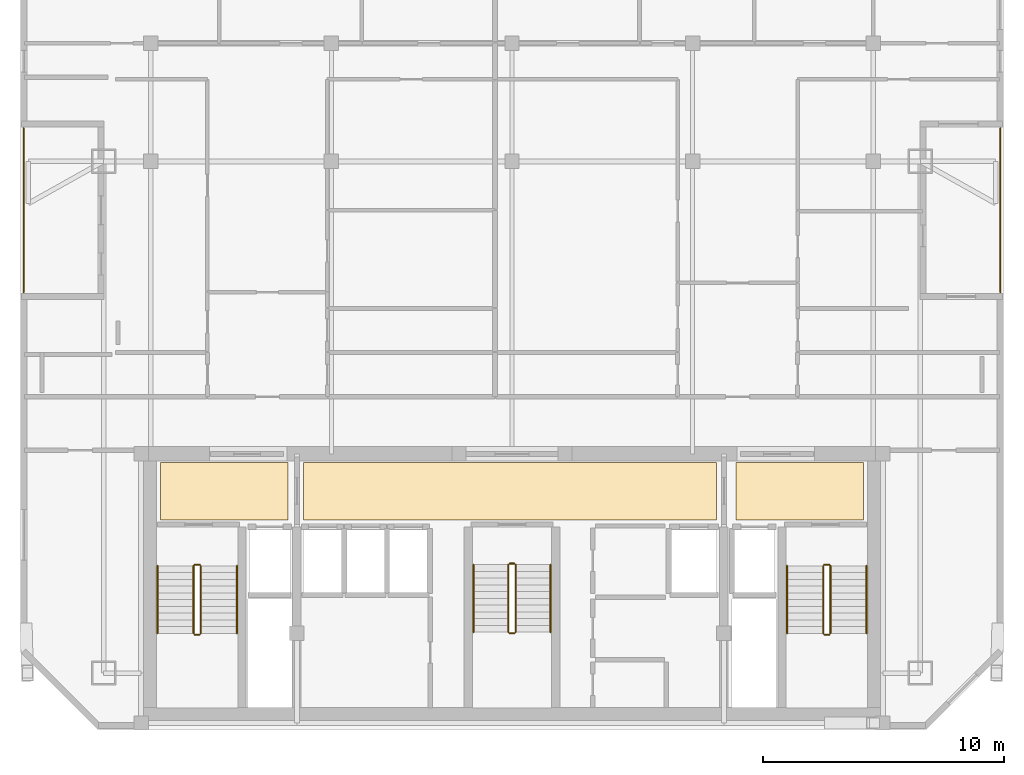
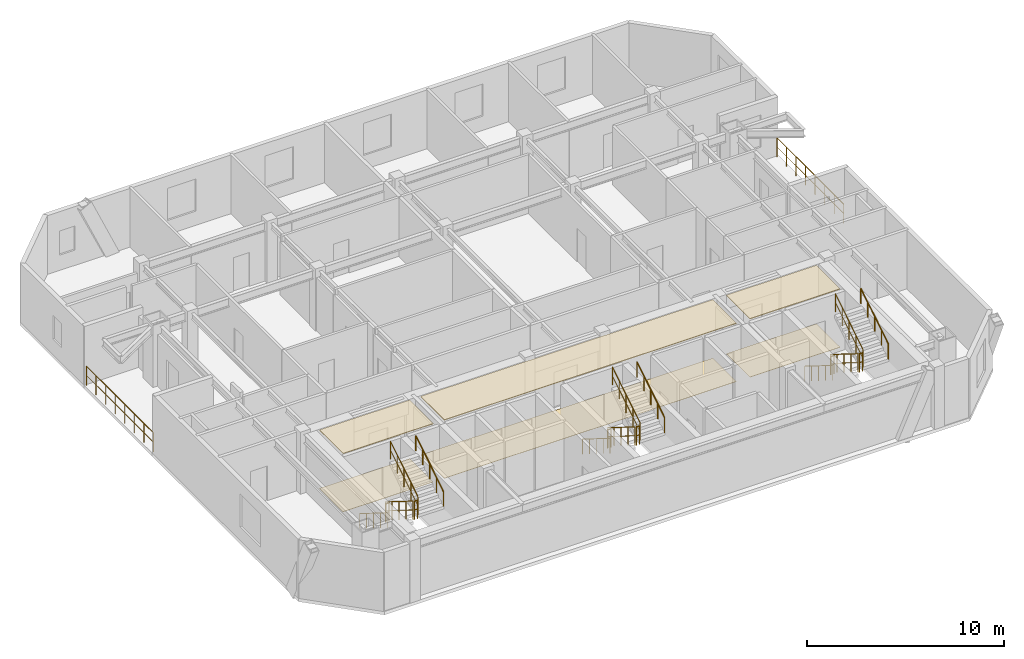
# One storey, part 7 of 7: 20 railings, 6 coverings.
"""IFC4 building model written with IfcOpenShell, lengths in metres."""

from ifc_helpers import new_model, si_unit, direction, frame, origin, origin_2d, place, context, subcontext, project, spatial, polyline, circle, outline, extrude, material, layer, layer_set, type_object, element, save


model = new_model("IFC4")

# Units and contexts
model_context = context("Model", 3, precision=1e-05, world=origin(), true_north=direction((0.0, 1.0)))
body_context = subcontext(model_context, "Body", "Model", "MODEL_VIEW")
ifc_project = project(units=[si_unit("LENGTHUNIT", "METRE"), si_unit("AREAUNIT", "SQUARE_METRE"), si_unit("VOLUMEUNIT", "CUBIC_METRE"), si_unit("PLANEANGLEUNIT", "RADIAN"), si_unit("MASSUNIT", "GRAM", prefix="KILO")], contexts=[model_context])

# Site, building, storey
site_placement = place(None, origin())
site = spatial("IfcSite", under=ifc_project, at=site_placement, CompositionType="ELEMENT")
building_placement = place(site_placement, origin())
building = spatial("IfcBuilding", under=site, at=building_placement, Name="Ventersveld Concourse Tower", CompositionType="ELEMENT")
storey_placement = place(building_placement, frame((0.0, 0.0, 281.050048828125)))
storey = spatial("IfcBuildingStorey", under=building, at=storey_placement, Name="L69", CompositionType="ELEMENT", Elevation=281.050048828125)

# Coverings
ifc_material_1 = material(Name="Mineral-fibre acoustic ceiling tile", Category="gypsum")
ifc_layer_1 = layer(ifc_material_1, 0.0400390625)
ifc_layer_set_1 = layer_set([ifc_layer_1], Name="Mineral-fibre acoustic ceiling tile")
covering_type_1 = type_object("IfcCoveringType", Name="COV-CEIL-ACOUSTIC", PredefinedType="CEILING", material=ifc_layer_set_1)
covering_1_placement = place(storey_placement, frame((0.0, 0.0, 3.60986328125)))
element("IfcCovering", 1, at=covering_1_placement, inside=storey, type_object=covering_type_1, Name="L69 North Lift Lobby Acoustic Ceiling", PredefinedType="CEILING", context=body_context, shape_type="SweptSolid", body=[
    extrude(outline(polyline([(20.10009765625, 8.699951171875), (37.25, 8.699951171875), (37.25, 11.10009765625), (20.10009765625, 11.10009765625), (20.10009765625, 8.699951171875)])), origin(), (0.0, 0.0, 1.0), 0.0400390625),
])
covering_2_placement = place(storey_placement, frame((0.0, 0.0, 3.60986328125)))
element("IfcCovering", 2, at=covering_2_placement, inside=storey, type_object=covering_type_1, Name="L69 West Firefighting Lobby Acoustic Ceiling", PredefinedType="CEILING", context=body_context, shape_type="SweptSolid", body=[
    extrude(outline(polyline([(14.14990234375, 8.699951171875), (19.449951171875, 8.699951171875), (19.449951171875, 11.10009765625), (14.14990234375, 11.10009765625), (14.14990234375, 8.699951171875)])), origin(), (0.0, 0.0, 1.0), 0.0400390625),
])
covering_3_placement = place(storey_placement, frame((0.0, 0.0, 3.60986328125)))
element("IfcCovering", 3, at=covering_3_placement, inside=storey, type_object=covering_type_1, Name="L69 East Firefighting Lobby Acoustic Ceiling", PredefinedType="CEILING", context=body_context, shape_type="SweptSolid", body=[
    extrude(outline(polyline([(38.050048828125, 8.699951171875), (43.35009765625, 8.699951171875), (43.35009765625, 11.10009765625), (38.050048828125, 11.10009765625), (38.050048828125, 8.699951171875)])), origin(), (0.0, 0.0, 1.0), 0.0400390625),
])
ifc_material_2 = material(Name="Polished Highveld granite terrazzo", Category="masonry")
ifc_layer_2 = layer(ifc_material_2, 0.02001953125)
ifc_layer_set_2 = layer_set([ifc_layer_2], Name="Polished Highveld granite terrazzo")
covering_type_2 = type_object("IfcCoveringType", Name="COV-FLOOR-TERRAZZO", PredefinedType="FLOORING", material=ifc_layer_set_2)
covering_4_placement = place(storey_placement, origin())
element("IfcCovering", 4, at=covering_4_placement, inside=storey, type_object=covering_type_2, Name="L69 North Lift Lobby Terrazzo Flooring", PredefinedType="FLOORING", context=body_context, shape_type="SweptSolid", body=[
    extrude(outline(polyline([(20.10009765625, 8.699951171875), (37.25, 8.699951171875), (37.25, 11.10009765625), (20.10009765625, 11.10009765625), (20.10009765625, 8.699951171875)])), origin(), (0.0, 0.0, 1.0), 0.02001953125),
])
covering_5_placement = place(storey_placement, origin())
element("IfcCovering", 5, at=covering_5_placement, inside=storey, type_object=covering_type_2, Name="L69 West Firefighting Lobby Terrazzo Flooring", PredefinedType="FLOORING", context=body_context, shape_type="SweptSolid", body=[
    extrude(outline(polyline([(14.14990234375, 8.699951171875), (19.449951171875, 8.699951171875), (19.449951171875, 11.10009765625), (14.14990234375, 11.10009765625), (14.14990234375, 8.699951171875)])), origin(), (0.0, 0.0, 1.0), 0.02001953125),
])
covering_6_placement = place(storey_placement, origin())
element("IfcCovering", 6, at=covering_6_placement, inside=storey, type_object=covering_type_2, Name="L69 East Firefighting Lobby Terrazzo Flooring", PredefinedType="FLOORING", context=body_context, shape_type="SweptSolid", body=[
    extrude(outline(polyline([(38.050048828125, 8.699951171875), (43.35009765625, 8.699951171875), (43.35009765625, 11.10009765625), (38.050048828125, 11.10009765625), (38.050048828125, 8.699951171875)])), origin(), (0.0, 0.0, 1.0), 0.02001953125),
])

# Railings
ifc_material_3 = material(Name="Brushed stainless steel 316", Category="steel")
railing_type_1 = type_object("IfcRailingType", Name="GD-BAL-115", PredefinedType="GUARDRAIL", material=ifc_material_3)
railing_1_placement = place(storey_placement, frame((15.530029296875, 6.800048828125, 0.175048828125)))
element("IfcRailing", 7, at=railing_1_placement, inside=storey, type_object=railing_type_1, Name="L69 ST-01 stair guard 1", PredefinedType="GUARDRAIL", context=body_context, shape_type="SweptSolid", body=[
    extrude(circle(Radius=0.02392578125, at=origin_2d()), frame((0.0, 0.0, 1.1259765625), z_axis=(0.0, -0.848002457836, 0.529992293815), x_axis=(1.0, 0.0, 0.0)), (0.0, 0.0, 1.0), 3.302001953125),
    extrude(circle(Radius=0.01611328125, at=origin_2d()), frame((0.0, 0.0, 0.574951171875), z_axis=(0.0, -0.848002457836, 0.529992293815), x_axis=(1.0, 0.0, 0.0)), (0.0, 0.0, 1.0), 3.302001953125),
    extrude(circle(Radius=0.02099609375, at=origin_2d()), origin(), (0.0, 0.0, 1.0), 1.101806640625),
    extrude(circle(Radius=0.02099609375, at=origin_2d()), frame((0.0, -0.699951171875, 0.4375)), (0.0, 0.0, 1.0), 1.101806640625),
    extrude(circle(Radius=0.02099609375, at=origin_2d()), frame((0.0, -1.39990234375, 0.875)), (0.0, 0.0, 1.0), 1.101806640625),
    extrude(circle(Radius=0.02099609375, at=origin_2d()), frame((0.0, -2.10009765625, 1.3125)), (0.0, 0.0, 1.0), 1.101806640625),
    extrude(circle(Radius=0.02099609375, at=origin_2d()), frame((0.0, -2.800048828125, 1.75)), (0.0, 0.0, 1.0), 1.101806640625),
])
railing_2_placement = place(storey_placement, frame((15.580078125, 3.949951171875, 1.925048828125)))
element("IfcRailing", 8, at=railing_2_placement, inside=storey, type_object=railing_type_1, Name="L69 ST-01 stair guard 2", PredefinedType="GUARDRAIL", context=body_context, shape_type="SweptSolid", body=[
    extrude(circle(Radius=0.02392578125, at=origin_2d()), frame((0.0, 0.0, 1.1259765625), z_axis=(1.0, 0.0, 0.0), x_axis=(0.0, 1.0, 0.0)), (0.0, 0.0, 1.0), 0.199951171875),
    extrude(circle(Radius=0.01611328125, at=origin_2d()), frame((0.0, 0.0, 0.574951171875), z_axis=(1.0, 0.0, 0.0), x_axis=(0.0, 1.0, 0.0)), (0.0, 0.0, 1.0), 0.199951171875),
    extrude(circle(Radius=0.02099609375, at=origin_2d()), origin(), (0.0, 0.0, 1.0), 1.101806640625),
    extrude(circle(Radius=0.02099609375, at=origin_2d()), frame((0.199951171875, 0.0, 0.0)), (0.0, 0.0, 1.0), 1.101806640625),
])
railing_3_placement = place(storey_placement, frame((15.830078125, 4.0, 2.099853515625)))
element("IfcRailing", 9, at=railing_3_placement, inside=storey, type_object=railing_type_1, Name="L69 ST-01 stair guard 3", PredefinedType="GUARDRAIL", context=body_context, shape_type="SweptSolid", body=[
    extrude(circle(Radius=0.02392578125, at=origin_2d()), frame((0.0, 0.0, 1.1259765625), z_axis=(0.0, 0.848002457836, 0.529992293815), x_axis=(-1.0, 0.0, 0.0)), (0.0, 0.0, 1.0), 3.302001953125),
    extrude(circle(Radius=0.01611328125, at=origin_2d()), frame((0.0, 0.0, 0.574951171875), z_axis=(0.0, 0.848002457836, 0.529992293815), x_axis=(-1.0, 0.0, 0.0)), (0.0, 0.0, 1.0), 3.302001953125),
    extrude(circle(Radius=0.02099609375, at=origin_2d()), origin(), (0.0, 0.0, 1.0), 1.101806640625),
    extrude(circle(Radius=0.02099609375, at=origin_2d()), frame((0.0, 0.699951171875, 0.4375)), (0.0, 0.0, 1.0), 1.101806640625),
    extrude(circle(Radius=0.02099609375, at=origin_2d()), frame((0.0, 1.39990234375, 0.875)), (0.0, 0.0, 1.0), 1.101806640625),
    extrude(circle(Radius=0.02099609375, at=origin_2d()), frame((0.0, 2.10009765625, 1.3125)), (0.0, 0.0, 1.0), 1.101806640625),
    extrude(circle(Radius=0.02099609375, at=origin_2d()), frame((0.0, 2.800048828125, 1.75)), (0.0, 0.0, 1.0), 1.101806640625),
])
railing_4_placement = place(storey_placement, frame((15.580078125, 6.85009765625, 0.0)))
element("IfcRailing", 10, at=railing_4_placement, inside=storey, type_object=railing_type_1, Name="L69 ST-01 stair guard 4", PredefinedType="GUARDRAIL", context=body_context, shape_type="SweptSolid", body=[
    extrude(circle(Radius=0.02392578125, at=origin_2d()), frame((0.0, 0.0, 1.1259765625), z_axis=(1.0, 0.0, 0.0), x_axis=(0.0, 1.0, 0.0)), (0.0, 0.0, 1.0), 0.199951171875),
    extrude(circle(Radius=0.01611328125, at=origin_2d()), frame((0.0, 0.0, 0.574951171875), z_axis=(1.0, 0.0, 0.0), x_axis=(0.0, 1.0, 0.0)), (0.0, 0.0, 1.0), 0.199951171875),
    extrude(circle(Radius=0.02099609375, at=origin_2d()), origin(), (0.0, 0.0, 1.0), 1.101806640625),
    extrude(circle(Radius=0.02099609375, at=origin_2d()), frame((0.199951171875, 0.0, 0.0)), (0.0, 0.0, 1.0), 1.101806640625),
])
railing_5_placement = place(storey_placement, frame((41.669921875, 6.800048828125, 0.175048828125)))
element("IfcRailing", 11, at=railing_5_placement, inside=storey, type_object=railing_type_1, Name="L69 ST-02 stair guard 1", PredefinedType="GUARDRAIL", context=body_context, shape_type="SweptSolid", body=[
    extrude(circle(Radius=0.02392578125, at=origin_2d()), frame((0.0, 0.0, 1.1259765625), z_axis=(0.0, -0.848002457836, 0.529992293815), x_axis=(1.0, 0.0, 0.0)), (0.0, 0.0, 1.0), 3.302001953125),
    extrude(circle(Radius=0.01611328125, at=origin_2d()), frame((0.0, 0.0, 0.574951171875), z_axis=(0.0, -0.848002457836, 0.529992293815), x_axis=(1.0, 0.0, 0.0)), (0.0, 0.0, 1.0), 3.302001953125),
    extrude(circle(Radius=0.02099609375, at=origin_2d()), origin(), (0.0, 0.0, 1.0), 1.101806640625),
    extrude(circle(Radius=0.02099609375, at=origin_2d()), frame((0.0, -0.699951171875, 0.4375)), (0.0, 0.0, 1.0), 1.101806640625),
    extrude(circle(Radius=0.02099609375, at=origin_2d()), frame((0.0, -1.39990234375, 0.875)), (0.0, 0.0, 1.0), 1.101806640625),
    extrude(circle(Radius=0.02099609375, at=origin_2d()), frame((0.0, -2.10009765625, 1.3125)), (0.0, 0.0, 1.0), 1.101806640625),
    extrude(circle(Radius=0.02099609375, at=origin_2d()), frame((0.0, -2.800048828125, 1.75)), (0.0, 0.0, 1.0), 1.101806640625),
])
railing_6_placement = place(storey_placement, frame((41.719970703125, 3.949951171875, 1.925048828125)))
element("IfcRailing", 12, at=railing_6_placement, inside=storey, type_object=railing_type_1, Name="L69 ST-02 stair guard 2", PredefinedType="GUARDRAIL", context=body_context, shape_type="SweptSolid", body=[
    extrude(circle(Radius=0.02392578125, at=origin_2d()), frame((0.0, 0.0, 1.1259765625), z_axis=(1.0, 0.0, 0.0), x_axis=(0.0, 1.0, 0.0)), (0.0, 0.0, 1.0), 0.199951171875),
    extrude(circle(Radius=0.01611328125, at=origin_2d()), frame((0.0, 0.0, 0.574951171875), z_axis=(1.0, 0.0, 0.0), x_axis=(0.0, 1.0, 0.0)), (0.0, 0.0, 1.0), 0.199951171875),
    extrude(circle(Radius=0.02099609375, at=origin_2d()), origin(), (0.0, 0.0, 1.0), 1.101806640625),
    extrude(circle(Radius=0.02099609375, at=origin_2d()), frame((0.199951171875, 0.0, 0.0)), (0.0, 0.0, 1.0), 1.101806640625),
])
railing_7_placement = place(storey_placement, frame((41.969970703125, 4.0, 2.099853515625)))
element("IfcRailing", 13, at=railing_7_placement, inside=storey, type_object=railing_type_1, Name="L69 ST-02 stair guard 3", PredefinedType="GUARDRAIL", context=body_context, shape_type="SweptSolid", body=[
    extrude(circle(Radius=0.02392578125, at=origin_2d()), frame((0.0, 0.0, 1.1259765625), z_axis=(0.0, 0.848002457836, 0.529992293815), x_axis=(-1.0, 0.0, 0.0)), (0.0, 0.0, 1.0), 3.302001953125),
    extrude(circle(Radius=0.01611328125, at=origin_2d()), frame((0.0, 0.0, 0.574951171875), z_axis=(0.0, 0.848002457836, 0.529992293815), x_axis=(-1.0, 0.0, 0.0)), (0.0, 0.0, 1.0), 3.302001953125),
    extrude(circle(Radius=0.02099609375, at=origin_2d()), origin(), (0.0, 0.0, 1.0), 1.101806640625),
    extrude(circle(Radius=0.02099609375, at=origin_2d()), frame((0.0, 0.699951171875, 0.4375)), (0.0, 0.0, 1.0), 1.101806640625),
    extrude(circle(Radius=0.02099609375, at=origin_2d()), frame((0.0, 1.39990234375, 0.875)), (0.0, 0.0, 1.0), 1.101806640625),
    extrude(circle(Radius=0.02099609375, at=origin_2d()), frame((0.0, 2.10009765625, 1.3125)), (0.0, 0.0, 1.0), 1.101806640625),
    extrude(circle(Radius=0.02099609375, at=origin_2d()), frame((0.0, 2.800048828125, 1.75)), (0.0, 0.0, 1.0), 1.101806640625),
])
railing_8_placement = place(storey_placement, frame((41.719970703125, 6.85009765625, 0.0)))
element("IfcRailing", 14, at=railing_8_placement, inside=storey, type_object=railing_type_1, Name="L69 ST-02 stair guard 4", PredefinedType="GUARDRAIL", context=body_context, shape_type="SweptSolid", body=[
    extrude(circle(Radius=0.02392578125, at=origin_2d()), frame((0.0, 0.0, 1.1259765625), z_axis=(1.0, 0.0, 0.0), x_axis=(0.0, 1.0, 0.0)), (0.0, 0.0, 1.0), 0.199951171875),
    extrude(circle(Radius=0.01611328125, at=origin_2d()), frame((0.0, 0.0, 0.574951171875), z_axis=(1.0, 0.0, 0.0), x_axis=(0.0, 1.0, 0.0)), (0.0, 0.0, 1.0), 0.199951171875),
    extrude(circle(Radius=0.02099609375, at=origin_2d()), origin(), (0.0, 0.0, 1.0), 1.101806640625),
    extrude(circle(Radius=0.02099609375, at=origin_2d()), frame((0.199951171875, 0.0, 0.0)), (0.0, 0.0, 1.0), 1.101806640625),
])
railing_9_placement = place(storey_placement, frame((28.60009765625, 6.85009765625, 0.175048828125)))
element("IfcRailing", 15, at=railing_9_placement, inside=storey, type_object=railing_type_1, Name="L69 ST-03 stair guard 1", PredefinedType="GUARDRAIL", context=body_context, shape_type="SweptSolid", body=[
    extrude(circle(Radius=0.02392578125, at=origin_2d()), frame((0.0, 0.0, 1.1259765625), z_axis=(0.0, -0.848002457836, 0.529992293815), x_axis=(1.0, 0.0, 0.0)), (0.0, 0.0, 1.0), 3.302001953125),
    extrude(circle(Radius=0.01611328125, at=origin_2d()), frame((0.0, 0.0, 0.574951171875), z_axis=(0.0, -0.848002457836, 0.529992293815), x_axis=(1.0, 0.0, 0.0)), (0.0, 0.0, 1.0), 3.302001953125),
    extrude(circle(Radius=0.02099609375, at=origin_2d()), origin(), (0.0, 0.0, 1.0), 1.101806640625),
    extrude(circle(Radius=0.02099609375, at=origin_2d()), frame((0.0, -0.699951171875, 0.4375)), (0.0, 0.0, 1.0), 1.101806640625),
    extrude(circle(Radius=0.02099609375, at=origin_2d()), frame((0.0, -1.39990234375, 0.875)), (0.0, 0.0, 1.0), 1.101806640625),
    extrude(circle(Radius=0.02099609375, at=origin_2d()), frame((0.0, -2.10009765625, 1.3125)), (0.0, 0.0, 1.0), 1.101806640625),
    extrude(circle(Radius=0.02099609375, at=origin_2d()), frame((0.0, -2.800048828125, 1.75)), (0.0, 0.0, 1.0), 1.101806640625),
])
railing_10_placement = place(storey_placement, frame((28.64990234375, 4.0, 1.925048828125)))
element("IfcRailing", 16, at=railing_10_placement, inside=storey, type_object=railing_type_1, Name="L69 ST-03 stair guard 2", PredefinedType="GUARDRAIL", context=body_context, shape_type="SweptSolid", body=[
    extrude(circle(Radius=0.02392578125, at=origin_2d()), frame((0.0, 0.0, 1.1259765625), z_axis=(1.0, 0.0, 0.0), x_axis=(0.0, 1.0, 0.0)), (0.0, 0.0, 1.0), 0.2001953125),
    extrude(circle(Radius=0.01611328125, at=origin_2d()), frame((0.0, 0.0, 0.574951171875), z_axis=(1.0, 0.0, 0.0), x_axis=(0.0, 1.0, 0.0)), (0.0, 0.0, 1.0), 0.2001953125),
    extrude(circle(Radius=0.02099609375, at=origin_2d()), origin(), (0.0, 0.0, 1.0), 1.101806640625),
    extrude(circle(Radius=0.02099609375, at=origin_2d()), frame((0.2001953125, 0.0, 0.0)), (0.0, 0.0, 1.0), 1.101806640625),
])
railing_11_placement = place(storey_placement, frame((28.89990234375, 4.050048828125, 2.099853515625)))
element("IfcRailing", 17, at=railing_11_placement, inside=storey, type_object=railing_type_1, Name="L69 ST-03 stair guard 3", PredefinedType="GUARDRAIL", context=body_context, shape_type="SweptSolid", body=[
    extrude(circle(Radius=0.02392578125, at=origin_2d()), frame((0.0, 0.0, 1.1259765625), z_axis=(0.0, 0.848002457836, 0.529992293815), x_axis=(-1.0, 0.0, 0.0)), (0.0, 0.0, 1.0), 3.302001953125),
    extrude(circle(Radius=0.01611328125, at=origin_2d()), frame((0.0, 0.0, 0.574951171875), z_axis=(0.0, 0.848002457836, 0.529992293815), x_axis=(-1.0, 0.0, 0.0)), (0.0, 0.0, 1.0), 3.302001953125),
    extrude(circle(Radius=0.02099609375, at=origin_2d()), origin(), (0.0, 0.0, 1.0), 1.101806640625),
    extrude(circle(Radius=0.02099609375, at=origin_2d()), frame((0.0, 0.699951171875, 0.4375)), (0.0, 0.0, 1.0), 1.101806640625),
    extrude(circle(Radius=0.02099609375, at=origin_2d()), frame((0.0, 1.39990234375, 0.875)), (0.0, 0.0, 1.0), 1.101806640625),
    extrude(circle(Radius=0.02099609375, at=origin_2d()), frame((0.0, 2.10009765625, 1.3125)), (0.0, 0.0, 1.0), 1.101806640625),
    extrude(circle(Radius=0.02099609375, at=origin_2d()), frame((0.0, 2.800048828125, 1.75)), (0.0, 0.0, 1.0), 1.101806640625),
])
railing_12_placement = place(storey_placement, frame((28.64990234375, 6.89990234375, 0.0)))
element("IfcRailing", 18, at=railing_12_placement, inside=storey, type_object=railing_type_1, Name="L69 ST-03 stair guard 4", PredefinedType="GUARDRAIL", context=body_context, shape_type="SweptSolid", body=[
    extrude(circle(Radius=0.02392578125, at=origin_2d()), frame((0.0, 0.0, 1.1259765625), z_axis=(1.0, 0.0, 0.0), x_axis=(0.0, 1.0, 0.0)), (0.0, 0.0, 1.0), 0.2001953125),
    extrude(circle(Radius=0.01611328125, at=origin_2d()), frame((0.0, 0.0, 0.574951171875), z_axis=(1.0, 0.0, 0.0), x_axis=(0.0, 1.0, 0.0)), (0.0, 0.0, 1.0), 0.2001953125),
    extrude(circle(Radius=0.02099609375, at=origin_2d()), origin(), (0.0, 0.0, 1.0), 1.101806640625),
    extrude(circle(Radius=0.02099609375, at=origin_2d()), frame((0.2001953125, 0.0, 0.0)), (0.0, 0.0, 1.0), 1.101806640625),
])
railing_type_2 = type_object("IfcRailingType", Name="GD-TER-120", PredefinedType="GUARDRAIL", material=ifc_material_3)
for number, where, name in (
    (19, (8.47314453125, 18.166259765625, 0.0), "L69 Outdoor Terrace Guardrail NOTCH-W"),
    (20, (49.02685546875, 18.166259765625, 0.0), "L69 Outdoor Terrace Guardrail NOTCH-E"),
):
    element("IfcRailing", number, at=place(storey_placement, frame(where)), inside=storey, type_object=railing_type_2, Name=name, PredefinedType="GUARDRAIL", context=body_context, shape_type="SweptSolid", body=[
        extrude(circle(Radius=0.02392578125, at=origin_2d()), frame((0.0, 0.0, 1.17578125), z_axis=(0.0, 1.0, 0.0), x_axis=(-1.0, 0.0, 0.0)), (0.0, 0.0, 1.0), 6.800048828125),
        extrude(circle(Radius=0.01611328125, at=origin_2d()), frame((0.0, 0.0, 0.60009765625), z_axis=(0.0, 1.0, 0.0), x_axis=(-1.0, 0.0, 0.0)), (0.0, 0.0, 1.0), 6.800048828125),
        extrude(circle(Radius=0.02099609375, at=origin_2d()), origin(), (0.0, 0.0, 1.0), 1.15185546875),
        extrude(circle(Radius=0.02099609375, at=origin_2d()), frame((0.0, 0.971435546875, 0.0)), (0.0, 0.0, 1.0), 1.15185546875),
        extrude(circle(Radius=0.02099609375, at=origin_2d()), frame((0.0, 1.94287109375, 0.0)), (0.0, 0.0, 1.0), 1.15185546875),
        extrude(circle(Radius=0.02099609375, at=origin_2d()), frame((0.0, 2.914306640625, 0.0)), (0.0, 0.0, 1.0), 1.15185546875),
        extrude(circle(Radius=0.02099609375, at=origin_2d()), frame((0.0, 3.8857421875, 0.0)), (0.0, 0.0, 1.0), 1.15185546875),
        extrude(circle(Radius=0.02099609375, at=origin_2d()), frame((0.0, 4.857177734375, 0.0)), (0.0, 0.0, 1.0), 1.15185546875),
        extrude(circle(Radius=0.02099609375, at=origin_2d()), frame((0.0, 5.82861328125, 0.0)), (0.0, 0.0, 1.0), 1.15185546875),
        extrude(circle(Radius=0.02099609375, at=origin_2d()), frame((0.0, 6.800048828125, 0.0)), (0.0, 0.0, 1.0), 1.15185546875),
    ])
railing_type_3 = type_object("IfcRailingType", Name="HR-RMP-095", PredefinedType="HANDRAIL", material=ifc_material_3)
railing_13_placement = place(storey_placement, frame((14.030029296875, 6.800048828125, 0.175048828125)))
element("IfcRailing", 21, at=railing_13_placement, inside=storey, type_object=railing_type_3, Name="L69 ST-01 stair handrail 1", PredefinedType="HANDRAIL", context=body_context, shape_type="SweptSolid", body=[
    extrude(circle(Radius=0.02392578125, at=origin_2d()), frame((0.0, 0.0, 0.92578125), z_axis=(0.0, -0.848002457836, 0.529992293815), x_axis=(1.0, 0.0, 0.0)), (0.0, 0.0, 1.0), 3.302001953125),
    extrude(circle(Radius=0.02099609375, at=origin_2d()), origin(), (0.0, 0.0, 1.0), 0.90185546875),
    extrude(circle(Radius=0.02099609375, at=origin_2d()), frame((0.0, -0.699951171875, 0.4375)), (0.0, 0.0, 1.0), 0.90185546875),
    extrude(circle(Radius=0.02099609375, at=origin_2d()), frame((0.0, -1.39990234375, 0.875)), (0.0, 0.0, 1.0), 0.90185546875),
    extrude(circle(Radius=0.02099609375, at=origin_2d()), frame((0.0, -2.10009765625, 1.3125)), (0.0, 0.0, 1.0), 0.90185546875),
    extrude(circle(Radius=0.02099609375, at=origin_2d()), frame((0.0, -2.800048828125, 1.75)), (0.0, 0.0, 1.0), 0.90185546875),
])
railing_14_placement = place(storey_placement, frame((17.330078125, 4.0, 2.099853515625)))
element("IfcRailing", 22, at=railing_14_placement, inside=storey, type_object=railing_type_3, Name="L69 ST-01 stair handrail 2", PredefinedType="HANDRAIL", context=body_context, shape_type="SweptSolid", body=[
    extrude(circle(Radius=0.02392578125, at=origin_2d()), frame((0.0, 0.0, 0.92578125), z_axis=(0.0, 0.848002457836, 0.529992293815), x_axis=(-1.0, 0.0, 0.0)), (0.0, 0.0, 1.0), 3.302001953125),
    extrude(circle(Radius=0.02099609375, at=origin_2d()), origin(), (0.0, 0.0, 1.0), 0.90185546875),
    extrude(circle(Radius=0.02099609375, at=origin_2d()), frame((0.0, 0.699951171875, 0.4375)), (0.0, 0.0, 1.0), 0.90185546875),
    extrude(circle(Radius=0.02099609375, at=origin_2d()), frame((0.0, 1.39990234375, 0.875)), (0.0, 0.0, 1.0), 0.90185546875),
    extrude(circle(Radius=0.02099609375, at=origin_2d()), frame((0.0, 2.10009765625, 1.3125)), (0.0, 0.0, 1.0), 0.90185546875),
    extrude(circle(Radius=0.02099609375, at=origin_2d()), frame((0.0, 2.800048828125, 1.75)), (0.0, 0.0, 1.0), 0.90185546875),
])
railing_15_placement = place(storey_placement, frame((40.169921875, 6.800048828125, 0.175048828125)))
element("IfcRailing", 23, at=railing_15_placement, inside=storey, type_object=railing_type_3, Name="L69 ST-02 stair handrail 1", PredefinedType="HANDRAIL", context=body_context, shape_type="SweptSolid", body=[
    extrude(circle(Radius=0.02392578125, at=origin_2d()), frame((0.0, 0.0, 0.92578125), z_axis=(0.0, -0.848002457836, 0.529992293815), x_axis=(1.0, 0.0, 0.0)), (0.0, 0.0, 1.0), 3.302001953125),
    extrude(circle(Radius=0.02099609375, at=origin_2d()), origin(), (0.0, 0.0, 1.0), 0.90185546875),
    extrude(circle(Radius=0.02099609375, at=origin_2d()), frame((0.0, -0.699951171875, 0.4375)), (0.0, 0.0, 1.0), 0.90185546875),
    extrude(circle(Radius=0.02099609375, at=origin_2d()), frame((0.0, -1.39990234375, 0.875)), (0.0, 0.0, 1.0), 0.90185546875),
    extrude(circle(Radius=0.02099609375, at=origin_2d()), frame((0.0, -2.10009765625, 1.3125)), (0.0, 0.0, 1.0), 0.90185546875),
    extrude(circle(Radius=0.02099609375, at=origin_2d()), frame((0.0, -2.800048828125, 1.75)), (0.0, 0.0, 1.0), 0.90185546875),
])
railing_16_placement = place(storey_placement, frame((43.469970703125, 4.0, 2.099853515625)))
element("IfcRailing", 24, at=railing_16_placement, inside=storey, type_object=railing_type_3, Name="L69 ST-02 stair handrail 2", PredefinedType="HANDRAIL", context=body_context, shape_type="SweptSolid", body=[
    extrude(circle(Radius=0.02392578125, at=origin_2d()), frame((0.0, 0.0, 0.92578125), z_axis=(0.0, 0.848002457836, 0.529992293815), x_axis=(-1.0, 0.0, 0.0)), (0.0, 0.0, 1.0), 3.302001953125),
    extrude(circle(Radius=0.02099609375, at=origin_2d()), origin(), (0.0, 0.0, 1.0), 0.90185546875),
    extrude(circle(Radius=0.02099609375, at=origin_2d()), frame((0.0, 0.699951171875, 0.4375)), (0.0, 0.0, 1.0), 0.90185546875),
    extrude(circle(Radius=0.02099609375, at=origin_2d()), frame((0.0, 1.39990234375, 0.875)), (0.0, 0.0, 1.0), 0.90185546875),
    extrude(circle(Radius=0.02099609375, at=origin_2d()), frame((0.0, 2.10009765625, 1.3125)), (0.0, 0.0, 1.0), 0.90185546875),
    extrude(circle(Radius=0.02099609375, at=origin_2d()), frame((0.0, 2.800048828125, 1.75)), (0.0, 0.0, 1.0), 0.90185546875),
])
railing_17_placement = place(storey_placement, frame((27.14990234375, 6.85009765625, 0.175048828125)))
element("IfcRailing", 25, at=railing_17_placement, inside=storey, type_object=railing_type_3, Name="L69 ST-03 stair handrail 1", PredefinedType="HANDRAIL", context=body_context, shape_type="SweptSolid", body=[
    extrude(circle(Radius=0.02392578125, at=origin_2d()), frame((0.0, 0.0, 0.92578125), z_axis=(0.0, -0.848002457836, 0.529992293815), x_axis=(1.0, 0.0, 0.0)), (0.0, 0.0, 1.0), 3.302001953125),
    extrude(circle(Radius=0.02099609375, at=origin_2d()), origin(), (0.0, 0.0, 1.0), 0.90185546875),
    extrude(circle(Radius=0.02099609375, at=origin_2d()), frame((0.0, -0.699951171875, 0.4375)), (0.0, 0.0, 1.0), 0.90185546875),
    extrude(circle(Radius=0.02099609375, at=origin_2d()), frame((0.0, -1.39990234375, 0.875)), (0.0, 0.0, 1.0), 0.90185546875),
    extrude(circle(Radius=0.02099609375, at=origin_2d()), frame((0.0, -2.10009765625, 1.3125)), (0.0, 0.0, 1.0), 0.90185546875),
    extrude(circle(Radius=0.02099609375, at=origin_2d()), frame((0.0, -2.800048828125, 1.75)), (0.0, 0.0, 1.0), 0.90185546875),
])
railing_18_placement = place(storey_placement, frame((30.35009765625, 4.050048828125, 2.099853515625)))
element("IfcRailing", 26, at=railing_18_placement, inside=storey, type_object=railing_type_3, Name="L69 ST-03 stair handrail 2", PredefinedType="HANDRAIL", context=body_context, shape_type="SweptSolid", body=[
    extrude(circle(Radius=0.02392578125, at=origin_2d()), frame((0.0, 0.0, 0.92578125), z_axis=(0.0, 0.848002457836, 0.529992293815), x_axis=(-1.0, 0.0, 0.0)), (0.0, 0.0, 1.0), 3.302001953125),
    extrude(circle(Radius=0.02099609375, at=origin_2d()), origin(), (0.0, 0.0, 1.0), 0.90185546875),
    extrude(circle(Radius=0.02099609375, at=origin_2d()), frame((0.0, 0.699951171875, 0.4375)), (0.0, 0.0, 1.0), 0.90185546875),
    extrude(circle(Radius=0.02099609375, at=origin_2d()), frame((0.0, 1.39990234375, 0.875)), (0.0, 0.0, 1.0), 0.90185546875),
    extrude(circle(Radius=0.02099609375, at=origin_2d()), frame((0.0, 2.10009765625, 1.3125)), (0.0, 0.0, 1.0), 0.90185546875),
    extrude(circle(Radius=0.02099609375, at=origin_2d()), frame((0.0, 2.800048828125, 1.75)), (0.0, 0.0, 1.0), 0.90185546875),
])

save(model, "model.ifc")
